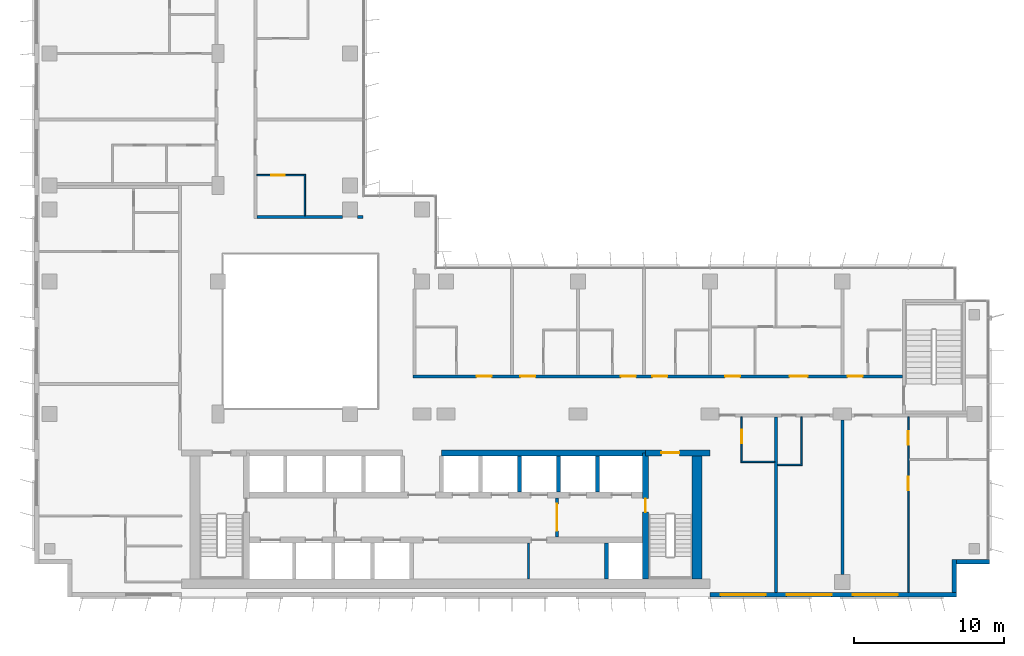
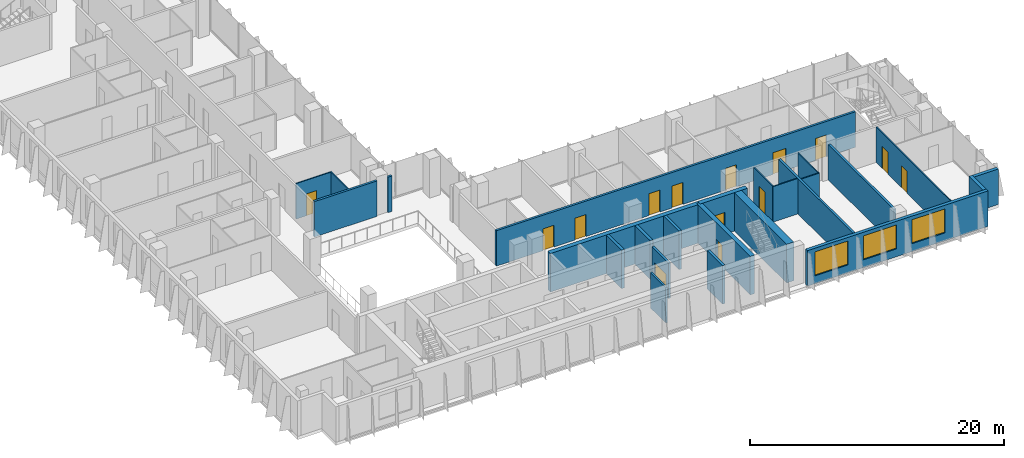
# One storey, part 14 of 21: 25 walls, 14 doors, 3 windows, 17 openings.
"""IFC4 building model written with IfcOpenShell, lengths in metres."""

from ifc_helpers import new_model, si_unit, direction, frame, frame_2d, origin, place, context, subcontext, project, spatial, rectangle, extrude, material, layer, layer_set, type_object, element, fill, save


model = new_model("IFC4")

# Units and contexts
model_context = context("Model", 3, precision=1e-05, world=origin(), true_north=direction((0.0, 1.0)))
body_context = subcontext(model_context, "Body", "Model", "MODEL_VIEW")
ifc_project = project(units=[si_unit("LENGTHUNIT", "METRE"), si_unit("AREAUNIT", "SQUARE_METRE"), si_unit("VOLUMEUNIT", "CUBIC_METRE"), si_unit("PLANEANGLEUNIT", "RADIAN"), si_unit("MASSUNIT", "GRAM", prefix="KILO")], contexts=[model_context])

# Site, building, storey
site_placement = place(None, origin())
site = spatial("IfcSite", under=ifc_project, at=site_placement, CompositionType="ELEMENT")
building_placement = place(site_placement, origin())
building = spatial("IfcBuilding", under=site, at=building_placement, Name="Kemantara Hotel Tower", CompositionType="ELEMENT")
storey_placement = place(building_placement, frame((0.0, 0.0, 208.0)))
storey = spatial("IfcBuildingStorey", under=building, at=storey_placement, Name="L51", CompositionType="ELEMENT", Elevation=208.0)

# Wall, openings, windows
ifc_material_1 = material(Name="Bronze anodised aluminium cladding on insulated steel stud wall", Category="steel")
ifc_layer_1 = layer(ifc_material_1, 0.300048828125)
ifc_layer_set_1 = layer_set([ifc_layer_1], Name="Bronze anodised aluminium cladding on insulated steel stud wall")
wall_type_1 = type_object("IfcWallType", Name="BRONZE METAL-CLAD EXTERNAL WALL 300", PredefinedType="STANDARD", material=ifc_layer_set_1)
wall_1_placement = place(storey_placement, frame((45.0, 0.14990234375, 0.0), z_axis=(0.0, 0.0, 1.0), x_axis=(1.0, 0.0, 0.0)))
wall_1 = element("IfcWall", 1, at=wall_1_placement, inside=storey, type_object=wall_type_1, Name="EXTERNAL WALL L51 T3-R08-3", PredefinedType="STANDARD", context=body_context, shape_type="SweptSolid", body=[
    extrude(rectangle(XDim=16.39990234375, YDim=0.300048828125, at=frame_2d((8.199951171875, 0.0))), origin(), (0.0, 0.0, 1.0), 3.39990234375),
])
opening_1_placement = place(wall_1_placement, frame((0.699951171875, 0.0, 0.75)))
opening_1 = element("IfcOpeningElement", 2, at=opening_1_placement, cuts=wall_1, Name="Opening W1", PredefinedType="OPENING", context=body_context, shape_type="SweptSolid", body=[
    extrude(rectangle(XDim=3.0, YDim=2.300048828125, at=frame_2d((1.5, 1.14990234375))), frame((0.0, 0.159912109375, 0.0), z_axis=(0.0, -1.0, 0.0), x_axis=(1.0, 0.0, 0.0)), (0.0, 0.0, 1.0), 0.320068359375),
])
opening_2_placement = place(wall_1_placement, frame((5.10009765625, 0.0, 0.75)))
opening_2 = element("IfcOpeningElement", 3, at=opening_2_placement, cuts=wall_1, Name="Opening W1", PredefinedType="OPENING", context=body_context, shape_type="SweptSolid", body=[
    extrude(rectangle(XDim=3.0, YDim=2.300048828125, at=frame_2d((1.5, 1.14990234375))), frame((0.0, 0.159912109375, 0.0), z_axis=(0.0, -1.0, 0.0), x_axis=(1.0, 0.0, 0.0)), (0.0, 0.0, 1.0), 0.320068359375),
])
opening_3_placement = place(wall_1_placement, frame((9.5, 0.0, 0.75)))
opening_3 = element("IfcOpeningElement", 4, at=opening_3_placement, cuts=wall_1, Name="Opening W1", PredefinedType="OPENING", context=body_context, shape_type="SweptSolid", body=[
    extrude(rectangle(XDim=3.0, YDim=2.300048828125, at=frame_2d((1.5, 1.14990234375))), frame((0.0, 0.159912109375, 0.0), z_axis=(0.0, -1.0, 0.0), x_axis=(1.0, 0.0, 0.0)), (0.0, 0.0, 1.0), 0.320068359375),
])
ifc_material_2 = material(Name="Low-E tinted double insulated glass in bronze anodised aluminium frame", Category="aluminium")
window_type = type_object("IfcWindowType", Name="CHICAGO WINDOW, TRIPLE PANEL 3000x2300", PartitioningType="TRIPLE_PANEL_VERTICAL", PredefinedType="WINDOW", material=ifc_material_2)
window_1_placement = place(opening_1_placement, origin())
window_1 = element("IfcWindow", 5, at=window_1_placement, inside=storey, type_object=window_type, Name="CHICAGO WINDOW L51 T3-R08-450", OverallHeight=2.300048828125, OverallWidth=3.0, PartitioningType="SINGLE_PANEL", PredefinedType="WINDOW", context=body_context, shape_type="SweptSolid", body=[
    extrude(rectangle(XDim=3.0, YDim=2.300048828125, at=frame_2d((1.5, 1.14990234375))), frame((0.0, 0.030029296875, 0.0), z_axis=(0.0, -1.0, 0.0), x_axis=(1.0, 0.0, 0.0)), (0.0, 0.0, 1.0), 0.06005859375),
])
fill(opening_1, window_1)
window_2_placement = place(opening_2_placement, origin())
window_2 = element("IfcWindow", 6, at=window_2_placement, inside=storey, type_object=window_type, Name="CHICAGO WINDOW L51 T3-R08-494", OverallHeight=2.300048828125, OverallWidth=3.0, PartitioningType="SINGLE_PANEL", PredefinedType="WINDOW", context=body_context, shape_type="SweptSolid", body=[
    extrude(rectangle(XDim=3.0, YDim=2.300048828125, at=frame_2d((1.5, 1.14990234375))), frame((0.0, 0.030029296875, 0.0), z_axis=(0.0, -1.0, 0.0), x_axis=(1.0, 0.0, 0.0)), (0.0, 0.0, 1.0), 0.06005859375),
])
fill(opening_2, window_2)
window_3_placement = place(opening_3_placement, origin())
window_3 = element("IfcWindow", 7, at=window_3_placement, inside=storey, type_object=window_type, Name="CHICAGO WINDOW L51 T3-R08-538", OverallHeight=2.300048828125, OverallWidth=3.0, PartitioningType="SINGLE_PANEL", PredefinedType="WINDOW", context=body_context, shape_type="SweptSolid", body=[
    extrude(rectangle(XDim=3.0, YDim=2.300048828125, at=frame_2d((1.5, 1.14990234375))), frame((0.0, 0.030029296875, 0.0), z_axis=(0.0, -1.0, 0.0), x_axis=(1.0, 0.0, 0.0)), (0.0, 0.0, 1.0), 0.06005859375),
])
fill(opening_3, window_3)

# Walls
wall_2_placement = place(storey_placement, frame((61.25, 0.300048828125, 0.0), z_axis=(0.0, 0.0, 1.0), x_axis=(0.0, 1.0, 0.0)))
element("IfcWall", 8, at=wall_2_placement, inside=storey, type_object=wall_type_1, Name="EXTERNAL WALL L51 T3-R09", PredefinedType="STANDARD", context=body_context, shape_type="SweptSolid", body=[
    extrude(rectangle(XDim=2.199951171875, YDim=0.300048828125, at=frame_2d((1.10009765625, 0.0))), origin(), (0.0, 0.0, 1.0), 3.39990234375),
])
wall_3_placement = place(storey_placement, frame((61.39990234375, 2.35009765625, 0.0), z_axis=(0.0, 0.0, 1.0), x_axis=(1.0, 0.0, 0.0)))
element("IfcWall", 9, at=wall_3_placement, inside=storey, type_object=wall_type_1, Name="EXTERNAL WALL L51 T3-R10", PredefinedType="STANDARD", context=body_context, shape_type="SweptSolid", body=[
    extrude(rectangle(XDim=2.2001953125, YDim=0.300048828125, at=frame_2d((1.10009765625, 0.0))), origin(), (0.0, 0.0, 1.0), 3.39990234375),
])
ifc_material_3 = material(Name="Concrete fc 60 MPa", Category="concrete")
ifc_layer_2 = layer(ifc_material_3, 0.25)
ifc_layer_set_2 = layer_set([ifc_layer_2], Name="Concrete fc 60 MPa")
wall_type_2 = type_object("IfcWallType", Name="CORE WALL 250 FC60", PredefinedType="SHEAR", material=ifc_layer_set_2)
wall_4_placement = place(storey_placement, frame((38.10009765625, 1.199951171875, 0.0), z_axis=(0.0, 0.0, 1.0), x_axis=(0.0, 1.0, 0.0)))
element("IfcWall", 10, at=wall_4_placement, inside=storey, type_object=wall_type_2, Name="CORE WALL CW-DS38.1", PredefinedType="SHEAR", context=body_context, shape_type="SweptSolid", body=[
    extrude(rectangle(XDim=2.400146484375, YDim=0.25, at=frame_2d((1.2001953125, 0.0))), origin(), (0.0, 0.0, 1.0), 3.699951171875),
])
for number, where, z_axis, x_axis, name in (
    (11, (32.300048828125, 7.0, 0.0), (0.0, 0.0, 1.0), (0.0, 1.0, 0.0), "CORE WALL CW-DN32.3"),
    (12, (34.89990234375, 7.0, 0.0), (0.0, 0.0, 1.0), (0.0, 1.0, 0.0), "CORE WALL CW-DN34.9"),
    (13, (37.5, 7.0, 0.0), (0.0, 0.0, 1.0), (0.0, 1.0, 0.0), "CORE WALL CW-DN37.5"),
):
    element("IfcWall", number, at=place(storey_placement, frame(where, z_axis=z_axis, x_axis=x_axis)), inside=storey, type_object=wall_type_2, Name=name, PredefinedType="SHEAR", context=body_context, shape_type="SweptSolid", body=[
        extrude(rectangle(XDim=2.39990234375, YDim=0.25, at=frame_2d((1.199951171875, 0.0))), origin(), (0.0, 0.0, 1.0), 3.699951171875),
    ])

# Wall, opening, door
ifc_layer_3 = layer(ifc_material_3, 0.39990234375)
ifc_layer_set_3 = layer_set([ifc_layer_3], Name="Concrete fc 60 MPa")
wall_type_3 = type_object("IfcWallType", Name="CORE WALL 400 FC60", PredefinedType="SHEAR", material=ifc_layer_set_3)
wall_5_placement = place(storey_placement, frame((40.699951171875, 9.60009765625, 0.0), z_axis=(0.0, 0.0, 1.0), x_axis=(1.0, 0.0, 0.0)))
wall_5 = element("IfcWall", 14, at=wall_5_placement, inside=storey, type_object=wall_type_3, Name="CORE WALL CW-N2", PredefinedType="SHEAR", context=body_context, shape_type="SweptSolid", body=[
    extrude(rectangle(XDim=4.300048828125, YDim=0.39990234375, at=frame_2d((2.14990234375, 0.0))), origin(), (0.0, 0.0, 1.0), 3.699951171875),
])
opening_4_placement = place(wall_5_placement, frame((1.050048828125, 0.0, 0.0)))
opening_4 = element("IfcOpeningElement", 15, at=opening_4_placement, cuts=wall_5, Name="Opening C32-ST2-C", PredefinedType="OPENING", context=body_context, shape_type="SweptSolid", body=[
    extrude(rectangle(XDim=1.199951171875, YDim=2.10009765625, at=frame_2d((0.60009765625, 1.050048828125))), frame((0.0, 0.2099609375, 0.0), z_axis=(0.0, -1.0, 0.0), x_axis=(1.0, 0.0, 0.0)), (0.0, 0.0, 1.0), 0.419921875),
])
ifc_material_4 = material(Name="Steel fire door", Category="steel")
door_type_1 = type_object("IfcDoorType", Name="Fire door FD90 1200 x 2100", OperationType="NOTDEFINED", PredefinedType="DOOR", material=ifc_material_4)
door_1_placement = place(opening_4_placement, frame((1.199951171875, 0.0, 0.0), z_axis=(0.0, 0.0, 1.0), x_axis=(-1.0, 0.0, 0.0)))
door_1 = element("IfcDoor", 16, at=door_1_placement, inside=storey, type_object=door_type_1, Name="Stair ST2 door to corridor", OperationType="SINGLE_SWING_RIGHT", OverallHeight=2.10009765625, OverallWidth=1.199951171875, PredefinedType="DOOR", context=body_context, shape_type="SweptSolid", body=[
    extrude(rectangle(XDim=1.199951171875, YDim=2.10009765625, at=frame_2d((0.60009765625, 1.050048828125))), frame((0.0, 0.02490234375, 0.0), z_axis=(0.0, -1.0, 0.0), x_axis=(1.0, 0.0, 0.0)), (0.0, 0.0, 1.0), 0.050048828125),
])
fill(opening_4, door_1)

# Wall
wall_6_placement = place(storey_placement, frame((27.10009765625, 9.60009765625, 0.0), z_axis=(0.0, 0.0, 1.0), x_axis=(1.0, 0.0, 0.0)))
element("IfcWall", 17, at=wall_6_placement, inside=storey, type_object=wall_type_3, Name="CORE WALL CW-NN2", PredefinedType="SHEAR", context=body_context, shape_type="SweptSolid", body=[
    extrude(rectangle(XDim=13.599853515625, YDim=0.39990234375, at=frame_2d((6.7998046875, 0.0))), origin(), (0.0, 0.0, 1.0), 3.699951171875),
])

# Wall, opening, door
wall_7_placement = place(storey_placement, frame((40.699951171875, 1.199951171875, 0.0), z_axis=(0.0, 0.0, 1.0), x_axis=(0.0, 1.0, 0.0)))
wall_7 = element("IfcWall", 18, at=wall_7_placement, inside=storey, type_object=wall_type_3, Name="CORE WALL CW-ST2W", PredefinedType="SHEAR", context=body_context, shape_type="SweptSolid", body=[
    extrude(rectangle(XDim=8.400146484375, YDim=0.39990234375, at=frame_2d((4.2001953125, 0.0))), origin(), (0.0, 0.0, 1.0), 3.699951171875),
])
opening_5_placement = place(wall_7_placement, frame((4.449951171875, 0.0, 0.0)))
opening_5 = element("IfcOpeningElement", 19, at=opening_5_placement, cuts=wall_7, Name="Opening C32-ST2-F", PredefinedType="OPENING", context=body_context, shape_type="SweptSolid", body=[
    extrude(rectangle(XDim=0.89990234375, YDim=2.10009765625, at=frame_2d((0.449951171875, 1.050048828125))), frame((0.0, 0.2099609375, 0.0), z_axis=(0.0, -1.0, 0.0), x_axis=(1.0, 0.0, 0.0)), (0.0, 0.0, 1.0), 0.419921875),
])
door_type_2 = type_object("IfcDoorType", Name="Fire door FD90 900 x 2100", OperationType="NOTDEFINED", PredefinedType="DOOR", material=ifc_material_4)
door_2_placement = place(opening_5_placement, frame((0.89990234375, 0.0, 0.0), z_axis=(0.0, 0.0, 1.0), x_axis=(-1.0, 0.0, 0.0)))
door_2 = element("IfcDoor", 20, at=door_2_placement, inside=storey, type_object=door_type_2, Name="Stair ST2 door to firefighting lobby", OperationType="SINGLE_SWING_LEFT", OverallHeight=2.10009765625, OverallWidth=0.89990234375, PredefinedType="DOOR", context=body_context, shape_type="SweptSolid", body=[
    extrude(rectangle(XDim=0.89990234375, YDim=2.10009765625, at=frame_2d((0.449951171875, 1.050048828125))), frame((0.0, 0.02490234375, 0.0), z_axis=(0.0, -1.0, 0.0), x_axis=(1.0, 0.0, 0.0)), (0.0, 0.0, 1.0), 0.050048828125),
])
fill(opening_5, door_2)

# Wall
ifc_layer_4 = layer(ifc_material_3, 0.64990234375)
ifc_layer_set_4 = layer_set([ifc_layer_4], Name="Concrete fc 60 MPa")
wall_type_4 = type_object("IfcWallType", Name="CORE WALL 650 FC60", PredefinedType="SHEAR", material=ifc_layer_set_4)
wall_8_placement = place(storey_placement, frame((44.125, 1.199951171875, 0.0), z_axis=(0.0, 0.0, 1.0), x_axis=(0.0, 1.0, 0.0)))
element("IfcWall", 21, at=wall_8_placement, inside=storey, type_object=wall_type_4, Name="CORE WALL CW-E", PredefinedType="SHEAR", context=body_context, shape_type="SweptSolid", body=[
    extrude(rectangle(XDim=8.60009765625, YDim=0.64990234375, at=frame_2d((4.300048828125, 0.0))), origin(), (0.0, 0.0, 1.0), 3.699951171875),
])

# Wall, openings, doors
ifc_material_5 = material(Name="Gypsum board partition, steel studs and mineral wool, 200 mm", Category="steel")
ifc_layer_5 = layer(ifc_material_5, 0.199951171875)
ifc_layer_set_5 = layer_set([ifc_layer_5], Name="Gypsum board partition, steel studs and mineral wool, 200 mm")
wall_type_5 = type_object("IfcWallType", Name="CORRIDOR WALL 200", PredefinedType="PARTITIONING", material=ifc_layer_set_5)
wall_9_placement = place(storey_placement, frame((25.199951171875, 14.699951171875, 0.0), z_axis=(0.0, 0.0, 1.0), x_axis=(1.0, 0.0, 0.0)))
wall_9 = element("IfcWall", 22, at=wall_9_placement, inside=storey, type_object=wall_type_5, Name="CORRIDOR WALL 200 006", PredefinedType="PARTITIONING", context=body_context, shape_type="SweptSolid", body=[
    extrude(rectangle(XDim=32.60009765625, YDim=0.199951171875, at=frame_2d((16.300048828125, 0.0))), origin(), (0.0, 0.0, 1.0), 3.39990234375),
])
opening_6_placement = place(wall_9_placement, frame((4.25, 0.0, 0.0)))
opening_6 = element("IfcOpeningElement", 23, at=opening_6_placement, cuts=wall_9, Name="Opening F25-009", PredefinedType="OPENING", context=body_context, shape_type="SweptSolid", body=[
    extrude(rectangle(XDim=1.0, YDim=2.10009765625, at=frame_2d((0.5, 1.050048828125))), frame((0.0, 0.10986328125, 0.0), z_axis=(0.0, -1.0, 0.0), x_axis=(1.0, 0.0, 0.0)), (0.0, 0.0, 1.0), 0.219970703125),
])
opening_7_placement = place(wall_9_placement, frame((7.14990234375, 0.0, 0.0)))
opening_7 = element("IfcOpeningElement", 24, at=opening_7_placement, cuts=wall_9, Name="Opening F25-011", PredefinedType="OPENING", context=body_context, shape_type="SweptSolid", body=[
    extrude(rectangle(XDim=1.0, YDim=2.10009765625, at=frame_2d((0.5, 1.050048828125))), frame((0.0, 0.10986328125, 0.0), z_axis=(0.0, -1.0, 0.0), x_axis=(1.0, 0.0, 0.0)), (0.0, 0.0, 1.0), 0.219970703125),
])
opening_8_placement = place(wall_9_placement, frame((13.85009765625, 0.0, 0.0)))
opening_8 = element("IfcOpeningElement", 25, at=opening_8_placement, cuts=wall_9, Name="Opening F25-013", PredefinedType="OPENING", context=body_context, shape_type="SweptSolid", body=[
    extrude(rectangle(XDim=1.0, YDim=2.10009765625, at=frame_2d((0.5, 1.050048828125))), frame((0.0, 0.10986328125, 0.0), z_axis=(0.0, -1.0, 0.0), x_axis=(1.0, 0.0, 0.0)), (0.0, 0.0, 1.0), 0.219970703125),
])
opening_9_placement = place(wall_9_placement, frame((15.949951171875, 0.0, 0.0)))
opening_9 = element("IfcOpeningElement", 26, at=opening_9_placement, cuts=wall_9, Name="Opening F25-015", PredefinedType="OPENING", context=body_context, shape_type="SweptSolid", body=[
    extrude(rectangle(XDim=1.0, YDim=2.10009765625, at=frame_2d((0.5, 1.050048828125))), frame((0.0, 0.10986328125, 0.0), z_axis=(0.0, -1.0, 0.0), x_axis=(1.0, 0.0, 0.0)), (0.0, 0.0, 1.0), 0.219970703125),
])
opening_10_placement = place(wall_9_placement, frame((20.800048828125, 0.0, 0.0)))
opening_10 = element("IfcOpeningElement", 27, at=opening_10_placement, cuts=wall_9, Name="Opening F25-017", PredefinedType="OPENING", context=body_context, shape_type="SweptSolid", body=[
    extrude(rectangle(XDim=1.0, YDim=2.10009765625, at=frame_2d((0.5, 1.050048828125))), frame((0.0, 0.10986328125, 0.0), z_axis=(0.0, -1.0, 0.0), x_axis=(1.0, 0.0, 0.0)), (0.0, 0.0, 1.0), 0.219970703125),
])
opening_11_placement = place(wall_9_placement, frame((25.10009765625, 0.0, 0.0)))
opening_11 = element("IfcOpeningElement", 28, at=opening_11_placement, cuts=wall_9, Name="Opening F25-018", PredefinedType="OPENING", context=body_context, shape_type="SweptSolid", body=[
    extrude(rectangle(XDim=1.199951171875, YDim=2.10009765625, at=frame_2d((0.60009765625, 1.050048828125))), frame((0.0, 0.10986328125, 0.0), z_axis=(0.0, -1.0, 0.0), x_axis=(1.0, 0.0, 0.0)), (0.0, 0.0, 1.0), 0.219970703125),
])
opening_12_placement = place(wall_9_placement, frame((28.949951171875, 0.0, 0.0)))
opening_12 = element("IfcOpeningElement", 29, at=opening_12_placement, cuts=wall_9, Name="Opening F25-021", PredefinedType="OPENING", context=body_context, shape_type="SweptSolid", body=[
    extrude(rectangle(XDim=1.0, YDim=2.10009765625, at=frame_2d((0.5, 1.050048828125))), frame((0.0, 0.10986328125, 0.0), z_axis=(0.0, -1.0, 0.0), x_axis=(1.0, 0.0, 0.0)), (0.0, 0.0, 1.0), 0.219970703125),
])
ifc_material_6 = material(Name="Hardwood veneer door leaf with steel frame", Category="steel")
door_type_3 = type_object("IfcDoorType", Name="GUEST ROOM DOOR 1000 X 2100 FD30S", OperationType="NOTDEFINED", PredefinedType="DOOR", material=ifc_material_6)
door_3_placement = place(opening_6_placement, origin())
door_3 = element("IfcDoor", 30, at=door_3_placement, inside=storey, type_object=door_type_3, Name="GUEST ROOM DOOR F25-009", OperationType="SINGLE_SWING_RIGHT", OverallHeight=2.10009765625, OverallWidth=1.0, PredefinedType="DOOR", context=body_context, shape_type="SweptSolid", body=[
    extrude(rectangle(XDim=1.0, YDim=2.10009765625, at=frame_2d((0.5, 1.050048828125))), frame((0.0, 0.02490234375, 0.0), z_axis=(0.0, -1.0, 0.0), x_axis=(1.0, 0.0, 0.0)), (0.0, 0.0, 1.0), 0.050048828125),
])
fill(opening_6, door_3)
door_4_placement = place(opening_7_placement, origin())
door_4 = element("IfcDoor", 31, at=door_4_placement, inside=storey, type_object=door_type_3, Name="GUEST ROOM DOOR F25-011", OperationType="SINGLE_SWING_LEFT", OverallHeight=2.10009765625, OverallWidth=1.0, PredefinedType="DOOR", context=body_context, shape_type="SweptSolid", body=[
    extrude(rectangle(XDim=1.0, YDim=2.10009765625, at=frame_2d((0.5, 1.050048828125))), frame((0.0, 0.02490234375, 0.0), z_axis=(0.0, -1.0, 0.0), x_axis=(1.0, 0.0, 0.0)), (0.0, 0.0, 1.0), 0.050048828125),
])
fill(opening_7, door_4)
door_5_placement = place(opening_8_placement, origin())
door_5 = element("IfcDoor", 32, at=door_5_placement, inside=storey, type_object=door_type_3, Name="GUEST ROOM DOOR F25-013", OperationType="SINGLE_SWING_RIGHT", OverallHeight=2.10009765625, OverallWidth=1.0, PredefinedType="DOOR", context=body_context, shape_type="SweptSolid", body=[
    extrude(rectangle(XDim=1.0, YDim=2.10009765625, at=frame_2d((0.5, 1.050048828125))), frame((0.0, 0.02490234375, 0.0), z_axis=(0.0, -1.0, 0.0), x_axis=(1.0, 0.0, 0.0)), (0.0, 0.0, 1.0), 0.050048828125),
])
fill(opening_8, door_5)
door_6_placement = place(opening_9_placement, origin())
door_6 = element("IfcDoor", 33, at=door_6_placement, inside=storey, type_object=door_type_3, Name="GUEST ROOM DOOR F25-015", OperationType="SINGLE_SWING_LEFT", OverallHeight=2.10009765625, OverallWidth=1.0, PredefinedType="DOOR", context=body_context, shape_type="SweptSolid", body=[
    extrude(rectangle(XDim=1.0, YDim=2.10009765625, at=frame_2d((0.5, 1.050048828125))), frame((0.0, 0.02490234375, 0.0), z_axis=(0.0, -1.0, 0.0), x_axis=(1.0, 0.0, 0.0)), (0.0, 0.0, 1.0), 0.050048828125),
])
fill(opening_9, door_6)
door_7_placement = place(opening_12_placement, origin())
door_7 = element("IfcDoor", 34, at=door_7_placement, inside=storey, type_object=door_type_3, Name="GUEST ROOM DOOR F25-021", OperationType="SINGLE_SWING_LEFT", OverallHeight=2.10009765625, OverallWidth=1.0, PredefinedType="DOOR", context=body_context, shape_type="SweptSolid", body=[
    extrude(rectangle(XDim=1.0, YDim=2.10009765625, at=frame_2d((0.5, 1.050048828125))), frame((0.0, 0.02490234375, 0.0), z_axis=(0.0, -1.0, 0.0), x_axis=(1.0, 0.0, 0.0)), (0.0, 0.0, 1.0), 0.050048828125),
])
fill(opening_12, door_7)
door_type_4 = type_object("IfcDoorType", Name="GUEST ROOM DOOR 1200 X 2100 FD30S", OperationType="NOTDEFINED", PredefinedType="DOOR", material=ifc_material_6)
door_8_placement = place(opening_11_placement, origin())
door_8 = element("IfcDoor", 35, at=door_8_placement, inside=storey, type_object=door_type_4, Name="GUEST ROOM DOOR F25-018", OperationType="SINGLE_SWING_RIGHT", OverallHeight=2.10009765625, OverallWidth=1.199951171875, PredefinedType="DOOR", context=body_context, shape_type="SweptSolid", body=[
    extrude(rectangle(XDim=1.199951171875, YDim=2.10009765625, at=frame_2d((0.60009765625, 1.050048828125))), frame((0.0, 0.02490234375, 0.0), z_axis=(0.0, -1.0, 0.0), x_axis=(1.0, 0.0, 0.0)), (0.0, 0.0, 1.0), 0.050048828125),
])
fill(opening_11, door_8)
ifc_material_7 = material(Name="Steel door leaf with steel frame", Category="steel")
door_type_5 = type_object("IfcDoorType", Name="SERVICE ROOM DOOR 1000 X 2100 FD60", OperationType="NOTDEFINED", PredefinedType="DOOR", material=ifc_material_7)
door_9_placement = place(opening_10_placement, origin())
door_9 = element("IfcDoor", 36, at=door_9_placement, inside=storey, type_object=door_type_5, Name="SERVICE ROOM DOOR F25-017", OperationType="SINGLE_SWING_LEFT", OverallHeight=2.10009765625, OverallWidth=1.0, PredefinedType="DOOR", context=body_context, shape_type="SweptSolid", body=[
    extrude(rectangle(XDim=1.0, YDim=2.10009765625, at=frame_2d((0.5, 1.050048828125))), frame((0.0, 0.02490234375, 0.0), z_axis=(0.0, -1.0, 0.0), x_axis=(1.0, 0.0, 0.0)), (0.0, 0.0, 1.0), 0.050048828125),
])
fill(opening_10, door_9)

# Walls
ifc_layer_6 = layer(ifc_material_5, 0.199951171875)
ifc_layer_set_6 = layer_set([ifc_layer_6], Name="Gypsum board partition, steel studs and mineral wool, 200 mm")
wall_type_6 = type_object("IfcWallType", Name="GUEST ROOM PARTY WALL 200", PredefinedType="PARTITIONING", material=ifc_layer_set_6)
wall_10_placement = place(storey_placement, frame((49.39990234375, 0.31005859375, 0.0), z_axis=(0.0, 0.0, 1.0), x_axis=(0.0, 1.0, 0.0)))
element("IfcWall", 37, at=wall_10_placement, inside=storey, type_object=wall_type_6, Name="GUEST ROOM PARTY WALL 200 003", PredefinedType="PARTITIONING", context=body_context, shape_type="SweptSolid", body=[
    extrude(rectangle(XDim=11.68994140625, YDim=0.199951171875, at=frame_2d((5.844970703125, 0.0))), origin(), (0.0, 0.0, 1.0), 3.39990234375),
])
wall_11_placement = place(storey_placement, frame((53.800048828125, 1.5, 0.0), z_axis=(0.0, 0.0, 1.0), x_axis=(0.0, 1.0, 0.0)))
element("IfcWall", 38, at=wall_11_placement, inside=storey, type_object=wall_type_6, Name="GUEST ROOM PARTY WALL 200 004", PredefinedType="PARTITIONING", context=body_context, shape_type="SweptSolid", body=[
    extrude(rectangle(XDim=10.2998046875, YDim=0.199951171875, at=frame_2d((5.14990234375, 0.0))), origin(), (0.0, 0.0, 1.0), 3.39990234375),
])
wall_12_placement = place(storey_placement, frame((14.800048828125, 25.300048828125, 0.0), z_axis=(0.0, 0.0, 1.0), x_axis=(1.0, 0.0, 0.0)))
element("IfcWall", 39, at=wall_12_placement, inside=storey, type_object=wall_type_6, Name="GUEST ROOM PARTY WALL 200 028", PredefinedType="PARTITIONING", context=body_context, shape_type="SweptSolid", body=[
    extrude(rectangle(XDim=5.699951171875, YDim=0.199951171875, at=frame_2d((2.85009765625, 0.0))), origin(), (0.0, 0.0, 1.0), 3.39990234375),
])
wall_13_placement = place(storey_placement, frame((21.5, 25.300048828125, 0.0), z_axis=(0.0, 0.0, 1.0), x_axis=(1.0, 0.0, 0.0)))
element("IfcWall", 40, at=wall_13_placement, inside=storey, type_object=wall_type_6, Name="GUEST ROOM PARTY WALL 200 029", PredefinedType="PARTITIONING", context=body_context, shape_type="SweptSolid", body=[
    extrude(rectangle(XDim=0.3701171875, YDim=0.199951171875, at=frame_2d((0.18505859375, 0.0))), origin(), (0.0, 0.0, 1.0), 3.39990234375),
])
ifc_material_8 = material(Name="Gypsum board partition")
ifc_layer_7 = layer(ifc_material_8, 0.14990234375)
ifc_layer_set_7 = layer_set([ifc_layer_7], Name="Gypsum board partition")
wall_type_7 = type_object("IfcWallType", Name="Gypsum board partition 150 mm", PredefinedType="PARTITIONING", material=ifc_layer_set_7)
wall_14_placement = place(storey_placement, frame((32.89990234375, 1.199951171875, 0.0), z_axis=(0.0, 0.0, 1.0), x_axis=(0.0, 1.0, 0.0)))
element("IfcWall", 41, at=wall_14_placement, inside=storey, type_object=wall_type_7, Name="Core room partition", PredefinedType="PARTITIONING", context=body_context, shape_type="SweptSolid", body=[
    extrude(rectangle(XDim=2.400146484375, YDim=0.14990234375, at=frame_2d((1.2001953125, 0.0))), origin(), (0.0, 0.0, 1.0), 3.39990234375),
])

# Wall, opening, door
ifc_material_9 = material(Name="Gypsum board shaft wall")
ifc_layer_8 = layer(ifc_material_9, 0.199951171875)
ifc_layer_set_8 = layer_set([ifc_layer_8], Name="Gypsum board shaft wall")
wall_type_8 = type_object("IfcWallType", Name="Gypsum board shaft wall 200 mm", PredefinedType="PARTITIONING", material=ifc_layer_set_8)
wall_15_placement = place(storey_placement, frame((34.800048828125, 4.0, 0.0), z_axis=(0.0, 0.0, 1.0), x_axis=(0.0, 1.0, 0.0)))
wall_15 = element("IfcWall", 42, at=wall_15_placement, inside=storey, type_object=wall_type_8, Name="Firefighting lobby partition east", PredefinedType="PARTITIONING", context=body_context, shape_type="SweptSolid", body=[
    extrude(rectangle(XDim=2.60009765625, YDim=0.199951171875, at=frame_2d((1.300048828125, 0.0))), origin(), (0.0, 0.0, 1.0), 3.39990234375),
])
opening_13_placement = place(wall_15_placement, frame((0.39990234375, 0.0, 0.0)))
opening_13 = element("IfcOpeningElement", 43, at=opening_13_placement, cuts=wall_15, Name="Opening C32-FFE", PredefinedType="OPENING", context=body_context, shape_type="SweptSolid", body=[
    extrude(rectangle(XDim=1.800048828125, YDim=2.10009765625, at=frame_2d((0.89990234375, 1.050048828125))), frame((0.0, 0.10986328125, 0.0), z_axis=(0.0, -1.0, 0.0), x_axis=(1.0, 0.0, 0.0)), (0.0, 0.0, 1.0), 0.219970703125),
])
door_type_6 = type_object("IfcDoorType", Name="Fire door pair FD60 1800 x 2100", OperationType="DOUBLE_DOOR_SINGLE_SWING", PredefinedType="DOOR", material=ifc_material_4)
door_10_placement = place(opening_13_placement, frame((1.800048828125, 0.0, 0.0), z_axis=(0.0, 0.0, 1.0), x_axis=(-1.0, 0.0, 0.0)))
door_10 = element("IfcDoor", 44, at=door_10_placement, inside=storey, type_object=door_type_6, Name="Firefighting lobby door east", OperationType="DOUBLE_DOOR_SINGLE_SWING", OverallHeight=2.10009765625, OverallWidth=1.800048828125, PredefinedType="DOOR", context=body_context, shape_type="SweptSolid", body=[
    extrude(rectangle(XDim=1.800048828125, YDim=2.10009765625, at=frame_2d((0.89990234375, 1.050048828125))), frame((0.0, 0.02490234375, 0.0), z_axis=(0.0, -1.0, 0.0), x_axis=(1.0, 0.0, 0.0)), (0.0, 0.0, 1.0), 0.050048828125),
])
fill(opening_13, door_10)

# Wall
ifc_material_10 = material(Name="Gypsum board partition on steel studs, 100 mm", Category="steel")
ifc_layer_9 = layer(ifc_material_10, 0.10009765625)
ifc_layer_set_9 = layer_set([ifc_layer_9], Name="Gypsum board partition on steel studs, 100 mm")
wall_type_9 = type_object("IfcWallType", Name="ROOM PARTITION 100", PredefinedType="PARTITIONING", material=ifc_layer_set_9)
wall_16_placement = place(storey_placement, frame((47.050048828125, 9.0, 0.0), z_axis=(0.0, 0.0, 1.0), x_axis=(1.0, 0.0, 0.0)))
element("IfcWall", 45, at=wall_16_placement, inside=storey, type_object=wall_type_9, Name="ROOM PARTITION 100 032", PredefinedType="PARTITIONING", context=body_context, shape_type="SweptSolid", body=[
    extrude(rectangle(XDim=2.25, YDim=0.10009765625, at=frame_2d((1.125, 0.0))), origin(), (0.0, 0.0, 1.0), 3.39990234375),
])

# Wall, opening, door
wall_17_placement = place(storey_placement, frame((47.10009765625, 12.0, 0.0), z_axis=(0.0, 0.0, 1.0), x_axis=(0.0, -1.0, 0.0)))
wall_17 = element("IfcWall", 46, at=wall_17_placement, inside=storey, type_object=wall_type_9, Name="ROOM PARTITION 100 033", PredefinedType="PARTITIONING", context=body_context, shape_type="SweptSolid", body=[
    extrude(rectangle(XDim=2.949951171875, YDim=0.10009765625, at=frame_2d((1.47509765625, 0.0))), origin(), (0.0, 0.0, 1.0), 3.39990234375),
])
opening_14_placement = place(wall_17_placement, frame((0.85009765625, 0.0, 0.0)))
opening_14 = element("IfcOpeningElement", 47, at=opening_14_placement, cuts=wall_17, Name="Opening F25-002", PredefinedType="OPENING", context=body_context, shape_type="SweptSolid", body=[
    extrude(rectangle(XDim=0.89990234375, YDim=2.10009765625, at=frame_2d((0.449951171875, 1.050048828125))), frame((0.0, 0.06005859375, 0.0), z_axis=(0.0, -1.0, 0.0), x_axis=(1.0, 0.0, 0.0)), (0.0, 0.0, 1.0), 0.1201171875),
])
door_type_7 = type_object("IfcDoorType", Name="BATHROOM DOOR 900 X 2100", OperationType="NOTDEFINED", PredefinedType="DOOR", material=ifc_material_6)
door_11_placement = place(opening_14_placement, origin())
door_11 = element("IfcDoor", 48, at=door_11_placement, inside=storey, type_object=door_type_7, Name="BATHROOM DOOR F25-002", OperationType="SINGLE_SWING_LEFT", OverallHeight=2.10009765625, OverallWidth=0.89990234375, PredefinedType="DOOR", context=body_context, shape_type="SweptSolid", body=[
    extrude(rectangle(XDim=0.89990234375, YDim=2.10009765625, at=frame_2d((0.449951171875, 1.050048828125))), frame((0.0, 0.02490234375, 0.0), z_axis=(0.0, -1.0, 0.0), x_axis=(1.0, 0.0, 0.0)), (0.0, 0.0, 1.0), 0.050048828125),
])
fill(opening_14, door_11)

# Walls
wall_18_placement = place(storey_placement, frame((49.5, 8.800048828125, 0.0), z_axis=(0.0, 0.0, 1.0), x_axis=(1.0, 0.0, 0.0)))
element("IfcWall", 49, at=wall_18_placement, inside=storey, type_object=wall_type_9, Name="ROOM PARTITION 100 034", PredefinedType="PARTITIONING", context=body_context, shape_type="SweptSolid", body=[
    extrude(rectangle(XDim=1.64990234375, YDim=0.10009765625, at=frame_2d((0.824951171875, 0.0))), origin(), (0.0, 0.0, 1.0), 3.39990234375),
])
wall_19_placement = place(storey_placement, frame((51.10009765625, 8.85009765625, 0.0), z_axis=(0.0, 0.0, 1.0), x_axis=(0.0, 1.0, 0.0)))
element("IfcWall", 50, at=wall_19_placement, inside=storey, type_object=wall_type_9, Name="ROOM PARTITION 100 035", PredefinedType="PARTITIONING", context=body_context, shape_type="SweptSolid", body=[
    extrude(rectangle(XDim=3.14990234375, YDim=0.10009765625, at=frame_2d((1.574951171875, 0.0))), origin(), (0.0, 0.0, 1.0), 3.39990234375),
])

# Wall, openings, doors
wall_20_placement = place(storey_placement, frame((58.199951171875, 0.31005859375, 0.0), z_axis=(0.0, 0.0, 1.0), x_axis=(0.0, 1.0, 0.0)))
wall_20 = element("IfcWall", 51, at=wall_20_placement, inside=storey, type_object=wall_type_9, Name="ROOM PARTITION 100 037", PredefinedType="PARTITIONING", context=body_context, shape_type="SweptSolid", body=[
    extrude(rectangle(XDim=11.68994140625, YDim=0.10009765625, at=frame_2d((5.844970703125, 0.0))), origin(), (0.0, 0.0, 1.0), 3.39990234375),
])
opening_15_placement = place(wall_20_placement, frame((9.840087890625, 0.0, 0.0)))
opening_15 = element("IfcOpeningElement", 52, at=opening_15_placement, cuts=wall_20, Name="Opening F25-006", PredefinedType="OPENING", context=body_context, shape_type="SweptSolid", body=[
    extrude(rectangle(XDim=0.89990234375, YDim=2.10009765625, at=frame_2d((0.449951171875, 1.050048828125))), frame((0.0, 0.06005859375, 0.0), z_axis=(0.0, -1.0, 0.0), x_axis=(1.0, 0.0, 0.0)), (0.0, 0.0, 1.0), 0.1201171875),
])
opening_16_placement = place(wall_20_placement, frame((6.7900390625, 0.0, 0.0)))
opening_16 = element("IfcOpeningElement", 53, at=opening_16_placement, cuts=wall_20, Name="Opening F25-007", PredefinedType="OPENING", context=body_context, shape_type="SweptSolid", body=[
    extrude(rectangle(XDim=0.89990234375, YDim=2.10009765625, at=frame_2d((0.449951171875, 1.050048828125))), frame((0.0, 0.06005859375, 0.0), z_axis=(0.0, -1.0, 0.0), x_axis=(1.0, 0.0, 0.0)), (0.0, 0.0, 1.0), 0.1201171875),
])
door_type_8 = type_object("IfcDoorType", Name="INTERNAL DOOR 900 X 2100", OperationType="NOTDEFINED", PredefinedType="DOOR", material=ifc_material_6)
door_12_placement = place(opening_16_placement, frame((0.89990234375, 0.0, 0.0), z_axis=(0.0, 0.0, 1.0), x_axis=(-1.0, 0.0, 0.0)))
door_12 = element("IfcDoor", 54, at=door_12_placement, inside=storey, type_object=door_type_8, Name="INTERNAL DOOR F25-007", OperationType="SINGLE_SWING_RIGHT", OverallHeight=2.10009765625, OverallWidth=0.89990234375, PredefinedType="DOOR", context=body_context, shape_type="SweptSolid", body=[
    extrude(rectangle(XDim=0.89990234375, YDim=2.10009765625, at=frame_2d((0.449951171875, 1.050048828125))), frame((0.0, 0.02490234375, 0.0), z_axis=(0.0, -1.0, 0.0), x_axis=(1.0, 0.0, 0.0)), (0.0, 0.0, 1.0), 0.050048828125),
])
fill(opening_16, door_12)
door_type_9 = type_object("IfcDoorType", Name="PANTRY DOOR 900 X 2100", OperationType="NOTDEFINED", PredefinedType="DOOR", material=ifc_material_6)
door_13_placement = place(opening_15_placement, origin())
door_13 = element("IfcDoor", 55, at=door_13_placement, inside=storey, type_object=door_type_9, Name="PANTRY DOOR F25-006", OperationType="SINGLE_SWING_RIGHT", OverallHeight=2.10009765625, OverallWidth=0.89990234375, PredefinedType="DOOR", context=body_context, shape_type="SweptSolid", body=[
    extrude(rectangle(XDim=0.89990234375, YDim=2.10009765625, at=frame_2d((0.449951171875, 1.050048828125))), frame((0.0, 0.02490234375, 0.0), z_axis=(0.0, -1.0, 0.0), x_axis=(1.0, 0.0, 0.0)), (0.0, 0.0, 1.0), 0.050048828125),
])
fill(opening_15, door_13)

# Wall
wall_21_placement = place(storey_placement, frame((18.0, 25.39990234375, 0.0), z_axis=(0.0, 0.0, 1.0), x_axis=(0.0, 1.0, 0.0)))
element("IfcWall", 56, at=wall_21_placement, inside=storey, type_object=wall_type_9, Name="ROOM PARTITION 100 070", PredefinedType="PARTITIONING", context=body_context, shape_type="SweptSolid", body=[
    extrude(rectangle(XDim=2.75, YDim=0.10009765625, at=frame_2d((1.375, 0.0))), origin(), (0.0, 0.0, 1.0), 3.39990234375),
])

# Wall, opening, door
wall_22_placement = place(storey_placement, frame((17.949951171875, 28.10009765625, 0.0), z_axis=(0.0, 0.0, 1.0), x_axis=(-1.0, 0.0, 0.0)))
wall_22 = element("IfcWall", 57, at=wall_22_placement, inside=storey, type_object=wall_type_9, Name="ROOM PARTITION 100 072", PredefinedType="PARTITIONING", context=body_context, shape_type="SweptSolid", body=[
    extrude(rectangle(XDim=3.14990234375, YDim=0.10009765625, at=frame_2d((1.574951171875, 0.0))), origin(), (0.0, 0.0, 1.0), 3.39990234375),
])
opening_17_placement = place(wall_22_placement, frame((1.300048828125, 0.0, 0.0)))
opening_17 = element("IfcOpeningElement", 58, at=opening_17_placement, cuts=wall_22, Name="Opening F25-045", PredefinedType="OPENING", context=body_context, shape_type="SweptSolid", body=[
    extrude(rectangle(XDim=0.89990234375, YDim=2.10009765625, at=frame_2d((0.449951171875, 1.050048828125))), frame((0.0, 0.06005859375, 0.0), z_axis=(0.0, -1.0, 0.0), x_axis=(1.0, 0.0, 0.0)), (0.0, 0.0, 1.0), 0.1201171875),
])
door_14_placement = place(opening_17_placement, origin())
door_14 = element("IfcDoor", 59, at=door_14_placement, inside=storey, type_object=door_type_7, Name="BATHROOM DOOR F25-045", OperationType="SINGLE_SWING_RIGHT", OverallHeight=2.10009765625, OverallWidth=0.89990234375, PredefinedType="DOOR", context=body_context, shape_type="SweptSolid", body=[
    extrude(rectangle(XDim=0.89990234375, YDim=2.10009765625, at=frame_2d((0.449951171875, 1.050048828125))), frame((0.0, 0.02490234375, 0.0), z_axis=(0.0, -1.0, 0.0), x_axis=(1.0, 0.0, 0.0)), (0.0, 0.0, 1.0), 0.050048828125),
])
fill(opening_17, door_14)

save(model, "model.ifc")
